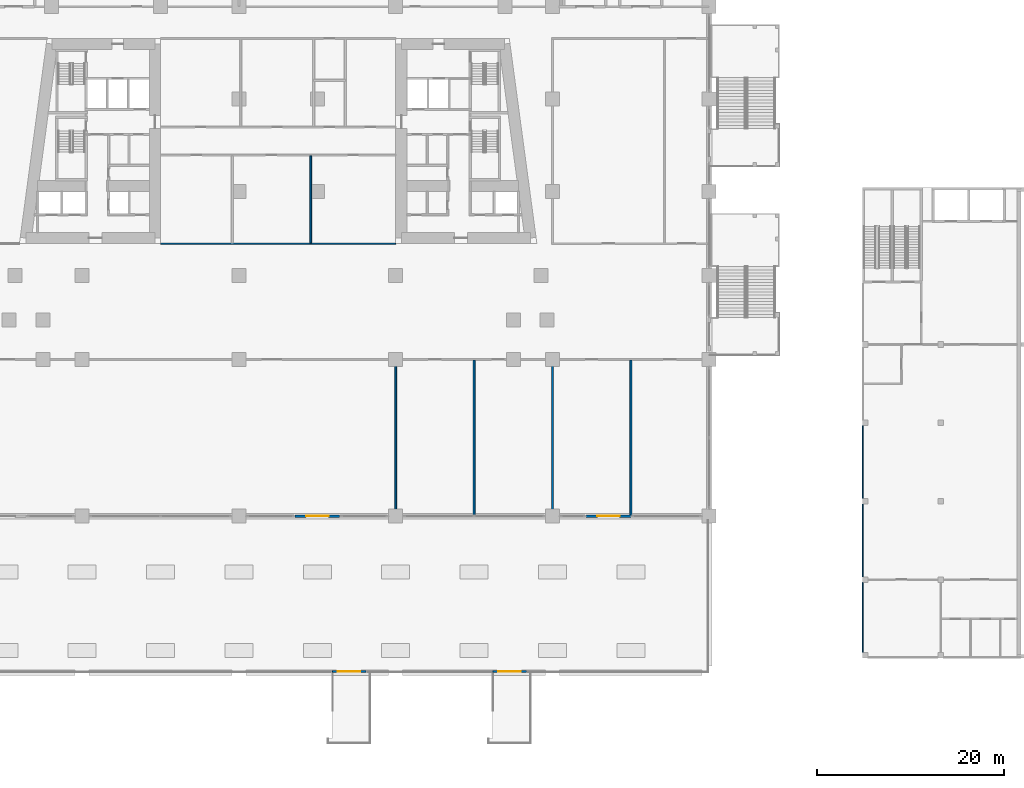
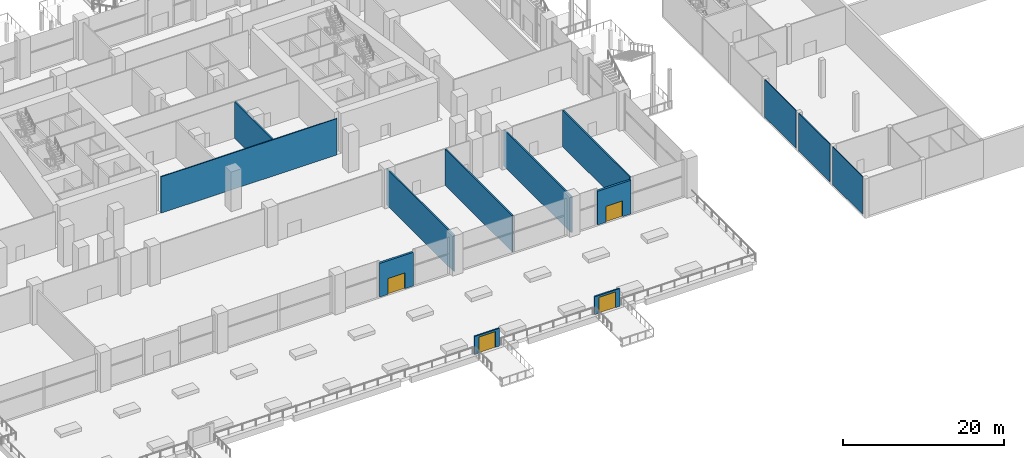
# One storey, part 22 of 47: 13 walls, 4 doors, 4 openings.
"""IFC4 building model written with IfcOpenShell, lengths in metres."""

from ifc_helpers import new_model, si_unit, direction, frame, frame_2d, origin, place, context, subcontext, project, spatial, rectangle, extrude, material, layer, layer_set, type_object, element, fill, save


model = new_model("IFC4")

# Units and contexts
model_context = context("Model", 3, precision=1e-05, world=origin(), true_north=direction((0.0, 1.0)))
body_context = subcontext(model_context, "Body", "Model", "MODEL_VIEW")
ifc_project = project(units=[si_unit("LENGTHUNIT", "METRE"), si_unit("AREAUNIT", "SQUARE_METRE"), si_unit("VOLUMEUNIT", "CUBIC_METRE"), si_unit("PLANEANGLEUNIT", "RADIAN"), si_unit("MASSUNIT", "GRAM", prefix="KILO")], contexts=[model_context])

# Site, building, storey
site_placement = place(None, origin())
site = spatial("IfcSite", under=ifc_project, at=site_placement, CompositionType="ELEMENT")
building_placement = place(site_placement, origin())
building = spatial("IfcBuilding", under=site, at=building_placement, Name="Candeia Pilgrim Tower and Theatre", CompositionType="ELEMENT")
storey_placement = place(building_placement, frame((0.0, 0.0, 23.0)))
storey = spatial("IfcBuildingStorey", under=building, at=storey_placement, Name="L03", CompositionType="ELEMENT", Elevation=23.0)

# Wall, opening, door
ifc_material_1 = material(Name="Ceramic block masonry", Category="masonry")
ifc_layer_1 = layer(ifc_material_1, 0.300048828125)
ifc_layer_set_1 = layer_set([ifc_layer_1], Name="EW2 entrance infill wall 300")
wall_type_1 = type_object("IfcWallType", Name="EW2 entrance infill wall 300", PredefinedType="SOLIDWALL", material=ifc_layer_set_1)
wall_1_placement = place(storey_placement, frame((151.199951171875, 81.199951171875, 0.0), z_axis=(0.0, 0.0, 1.0), x_axis=(-1.0, 0.0, 0.0)))
wall_1 = element("IfcWall", 1, at=wall_1_placement, inside=storey, type_object=wall_type_1, Name="Entrance wall L03", PredefinedType="SOLIDWALL", context=body_context, shape_type="SweptSolid", body=[
    extrude(rectangle(XDim=4.800048828125, YDim=0.300048828125, at=frame_2d((2.39990234375, 0.0))), origin(), (0.0, 0.0, 1.0), 5.10009765625),
])
opening_1_placement = place(wall_1_placement, frame((1.199951171875, 0.0, 0.0)))
opening_1 = element("IfcOpeningElement", 2, at=opening_1_placement, cuts=wall_1, Name="Opening L03-ED071", PredefinedType="OPENING", context=body_context, shape_type="SweptSolid", body=[
    extrude(rectangle(XDim=2.39990234375, YDim=2.39990234375, at=frame_2d((1.199951171875, 1.199951171875))), frame((0.0, 0.16015625, 0.0), z_axis=(0.0, -1.0, 0.0), x_axis=(1.0, 0.0, 0.0)), (0.0, 0.0, 1.0), 0.320068359375),
])
ifc_material_2 = material(Name="Aluminium framed glazed door", Category="aluminium")
door_type = type_object("IfcDoorType", Name="ED entrance double door 2400x2400", OperationType="DOUBLE_DOOR_DOUBLE_SWING", PredefinedType="DOOR", material=ifc_material_2)
door_1_placement = place(opening_1_placement, origin())
door_1 = element("IfcDoor", 3, at=door_1_placement, inside=storey, type_object=door_type, Name="Entrance door L03-ED071", OperationType="DOUBLE_DOOR_DOUBLE_SWING", OverallHeight=2.39990234375, OverallWidth=2.39990234375, PredefinedType="DOOR", context=body_context, shape_type="SweptSolid", body=[
    extrude(rectangle(XDim=2.39990234375, YDim=2.39990234375, at=frame_2d((1.199951171875, 1.199951171875))), frame((0.0, 0.02490234375, 0.0), z_axis=(0.0, -1.0, 0.0), x_axis=(1.0, 0.0, 0.0)), (0.0, 0.0, 1.0), 0.050048828125),
])
fill(opening_1, door_1)

wall_2_placement = place(storey_placement, frame((120.0, 81.199951171875, 0.0), z_axis=(0.0, 0.0, 1.0), x_axis=(-1.0, 0.0, 0.0)))
wall_2 = element("IfcWall", 4, at=wall_2_placement, inside=storey, type_object=wall_type_1, Name="Entrance wall L03", PredefinedType="SOLIDWALL", context=body_context, shape_type="SweptSolid", body=[
    extrude(rectangle(XDim=4.800048828125, YDim=0.300048828125, at=frame_2d((2.39990234375, 0.0))), origin(), (0.0, 0.0, 1.0), 5.10009765625),
])
opening_2_placement = place(wall_2_placement, frame((1.199951171875, 0.0, 0.0)))
opening_2 = element("IfcOpeningElement", 5, at=opening_2_placement, cuts=wall_2, Name="Opening L03-ED072", PredefinedType="OPENING", context=body_context, shape_type="SweptSolid", body=[
    extrude(rectangle(XDim=2.39990234375, YDim=2.39990234375, at=frame_2d((1.199951171875, 1.199951171875))), frame((0.0, 0.16015625, 0.0), z_axis=(0.0, -1.0, 0.0), x_axis=(1.0, 0.0, 0.0)), (0.0, 0.0, 1.0), 0.320068359375),
])
door_2_placement = place(opening_2_placement, origin())
door_2 = element("IfcDoor", 6, at=door_2_placement, inside=storey, type_object=door_type, Name="Entrance door L03-ED072", OperationType="DOUBLE_DOOR_DOUBLE_SWING", OverallHeight=2.39990234375, OverallWidth=2.39990234375, PredefinedType="DOOR", context=body_context, shape_type="SweptSolid", body=[
    extrude(rectangle(XDim=2.39990234375, YDim=2.39990234375, at=frame_2d((1.199951171875, 1.199951171875))), frame((0.0, 0.02490234375, 0.0), z_axis=(0.0, -1.0, 0.0), x_axis=(1.0, 0.0, 0.0)), (0.0, 0.0, 1.0), 0.050048828125),
])
fill(opening_2, door_2)

ifc_material_3 = material(Name="Concrete C35/45", Category="concrete")
ifc_layer_2 = layer(ifc_material_3, 0.199951171875)
ifc_layer_set_2 = layer_set([ifc_layer_2], Name="Escape stair gate wall 200")
wall_type_2 = type_object("IfcWallType", Name="Escape stair gate wall 200", PredefinedType="SOLIDWALL", material=ifc_layer_set_2)
wall_3_placement = place(storey_placement, frame((122.800048828125, 64.550048828125, 0.0), z_axis=(0.0, 0.0, 1.0), x_axis=(-1.0, 0.0, 0.0)))
wall_3 = element("IfcWall", 7, at=wall_3_placement, inside=storey, type_object=wall_type_2, Name="L03 External escape stair ES9 terrace gate wall", PredefinedType="SOLIDWALL", context=body_context, shape_type="SweptSolid", body=[
    extrude(rectangle(XDim=3.60009765625, YDim=0.199951171875, at=frame_2d((1.800048828125, 0.0))), origin(), (0.0, 0.0, 1.0), 2.699951171875),
])
opening_3_placement = place(wall_3_placement, frame((0.60009765625, 0.0, 0.0)))
opening_3 = element("IfcOpeningElement", 8, at=opening_3_placement, cuts=wall_3, Name="Opening XD-9-03", PredefinedType="OPENING", context=body_context, shape_type="SweptSolid", body=[
    extrude(rectangle(XDim=2.39990234375, YDim=2.39990234375, at=frame_2d((1.199951171875, 1.199951171875))), frame((0.0, 0.10986328125, 0.0), z_axis=(0.0, -1.0, 0.0), x_axis=(1.0, 0.0, 0.0)), (0.0, 0.0, 1.0), 0.219970703125),
])
door_3_placement = place(opening_3_placement, origin())
door_3 = element("IfcDoor", 9, at=door_3_placement, inside=storey, type_object=door_type, Name="Terrace gate door ES9 L03", OperationType="DOUBLE_DOOR_DOUBLE_SWING", OverallHeight=2.39990234375, OverallWidth=2.39990234375, PredefinedType="DOOR", context=body_context, shape_type="SweptSolid", body=[
    extrude(rectangle(XDim=2.39990234375, YDim=2.39990234375, at=frame_2d((1.199951171875, 1.199951171875))), frame((0.0, 0.02490234375, 0.0), z_axis=(0.0, -1.0, 0.0), x_axis=(1.0, 0.0, 0.0)), (0.0, 0.0, 1.0), 0.050048828125),
])
fill(opening_3, door_3)

wall_4_placement = place(storey_placement, frame((140.0, 64.550048828125, 0.0), z_axis=(0.0, 0.0, 1.0), x_axis=(-1.0, 0.0, 0.0)))
wall_4 = element("IfcWall", 10, at=wall_4_placement, inside=storey, type_object=wall_type_2, Name="L03 External escape stair ES16 terrace gate wall", PredefinedType="SOLIDWALL", context=body_context, shape_type="SweptSolid", body=[
    extrude(rectangle(XDim=3.60009765625, YDim=0.199951171875, at=frame_2d((1.800048828125, 0.0))), origin(), (0.0, 0.0, 1.0), 2.699951171875),
])
opening_4_placement = place(wall_4_placement, frame((0.60009765625, 0.0, 0.0)))
opening_4 = element("IfcOpeningElement", 11, at=opening_4_placement, cuts=wall_4, Name="Opening XD-16-03", PredefinedType="OPENING", context=body_context, shape_type="SweptSolid", body=[
    extrude(rectangle(XDim=2.39990234375, YDim=2.39990234375, at=frame_2d((1.199951171875, 1.199951171875))), frame((0.0, 0.10986328125, 0.0), z_axis=(0.0, -1.0, 0.0), x_axis=(1.0, 0.0, 0.0)), (0.0, 0.0, 1.0), 0.219970703125),
])
door_4_placement = place(opening_4_placement, origin())
door_4 = element("IfcDoor", 12, at=door_4_placement, inside=storey, type_object=door_type, Name="Terrace gate door ES16 L03", OperationType="DOUBLE_DOOR_DOUBLE_SWING", OverallHeight=2.39990234375, OverallWidth=2.39990234375, PredefinedType="DOOR", context=body_context, shape_type="SweptSolid", body=[
    extrude(rectangle(XDim=2.39990234375, YDim=2.39990234375, at=frame_2d((1.199951171875, 1.199951171875))), frame((0.0, 0.02490234375, 0.0), z_axis=(0.0, -1.0, 0.0), x_axis=(1.0, 0.0, 0.0)), (0.0, 0.0, 1.0), 0.050048828125),
])
fill(opening_4, door_4)

# Walls
ifc_material_4 = material(Name="Gypsum board partition on steel studs", Category="steel")
ifc_layer_3 = layer(ifc_material_4, 0.14990234375)
ifc_layer_set_3 = layer_set([ifc_layer_3], Name="PW-150 lobby wall")
wall_type_3 = type_object("IfcWallType", Name="PW-150 lobby wall", PredefinedType="PARTITIONING", material=ifc_layer_set_3)
wall_5_placement = place(storey_placement, frame((100.800048828125, 110.39990234375, 0.0), z_axis=(0.0, 0.0, 1.0), x_axis=(1.0, 0.0, 0.0)))
element("IfcWall", 13, at=wall_5_placement, inside=storey, type_object=wall_type_3, Name="Lobby wall L03-003", PredefinedType="PARTITIONING", context=body_context, shape_type="SweptSolid", body=[
    extrude(rectangle(XDim=25.199951171875, YDim=0.14990234375, at=frame_2d((12.60009765625, 0.0))), origin(), (0.0, 0.0, 1.0), 5.5),
])
ifc_layer_4 = layer(ifc_material_4, 0.199951171875)
ifc_layer_set_4 = layer_set([ifc_layer_4], Name="PW-200 party wall")
wall_type_4 = type_object("IfcWallType", Name="PW-200 party wall", PredefinedType="PARTITIONING", material=ifc_layer_set_4)
wall_6_placement = place(storey_placement, frame((116.89990234375, 110.47509765625, 0.0), z_axis=(0.0, 0.0, 1.0), x_axis=(0.0, 1.0, 0.0)))
element("IfcWall", 14, at=wall_6_placement, inside=storey, type_object=wall_type_4, Name="Party wall L03-071", PredefinedType="PARTITIONING", context=body_context, shape_type="SweptSolid", body=[
    extrude(rectangle(XDim=9.349853515625, YDim=0.199951171875, at=frame_2d((4.6748046875, 0.0))), origin(), (0.0, 0.0, 1.0), 5.5),
])
for number, where, z_axis, x_axis, name in (
    (15, (126.0, 81.25, 0.0), (0.0, 0.0, 1.0), (0.0, 1.0, 0.0), "Party wall L03-074"),
    (16, (134.39990234375, 81.25, 0.0), (0.0, 0.0, 1.0), (0.0, 1.0, 0.0), "Party wall L03-087"),
    (17, (142.800048828125, 81.25, 0.0), (0.0, 0.0, 1.0), (0.0, 1.0, 0.0), "Party wall L03-093"),
    (18, (151.199951171875, 81.25, 0.0), (0.0, 0.0, 1.0), (0.0, 1.0, 0.0), "Party wall L03-099"),
):
    element("IfcWall", number, at=place(storey_placement, frame(where, z_axis=z_axis, x_axis=x_axis)), inside=storey, type_object=wall_type_4, Name=name, PredefinedType="PARTITIONING", context=body_context, shape_type="SweptSolid", body=[
        extrude(rectangle(XDim=16.675048828125, YDim=0.199951171875, at=frame_2d((8.33740234375, 0.0))), origin(), (0.0, 0.0, 1.0), 5.5),
    ])
ifc_material_5 = material(Name="Gypsum board on steel studs", Category="steel")
ifc_layer_5 = layer(ifc_material_5, 0.125)
ifc_layer_set_5 = layer_set([ifc_layer_5], Name="Partition 125")
wall_type_5 = type_object("IfcWallType", Name="Partition 125", PredefinedType="PARTITIONING", material=ifc_layer_set_5)
wall_7_placement = place(storey_placement, frame((176.0625, 66.60009765625, 0.0), z_axis=(0.0, 0.0, 1.0), x_axis=(0.0, 1.0, 0.0)))
element("IfcWall", 19, at=wall_7_placement, inside=storey, type_object=wall_type_5, Name="T-L03-W036", PredefinedType="PARTITIONING", context=body_context, shape_type="SweptSolid", body=[
    extrude(rectangle(XDim=7.5, YDim=0.125, at=frame_2d((3.75, 0.0))), origin(), (0.0, 0.0, 1.0), 5.699951171875),
])
wall_8_placement = place(storey_placement, frame((176.0625, 74.699951171875, 0.0), z_axis=(0.0, 0.0, 1.0), x_axis=(0.0, 1.0, 0.0)))
element("IfcWall", 20, at=wall_8_placement, inside=storey, type_object=wall_type_5, Name="T-L03-W037", PredefinedType="PARTITIONING", context=body_context, shape_type="SweptSolid", body=[
    extrude(rectangle(XDim=7.800048828125, YDim=0.125, at=frame_2d((3.89990234375, 0.0))), origin(), (0.0, 0.0, 1.0), 5.699951171875),
])
wall_9_placement = place(storey_placement, frame((176.0625, 83.10009765625, 0.0), z_axis=(0.0, 0.0, 1.0), x_axis=(0.0, 1.0, 0.0)))
element("IfcWall", 21, at=wall_9_placement, inside=storey, type_object=wall_type_5, Name="T-L03-W038", PredefinedType="PARTITIONING", context=body_context, shape_type="SweptSolid", body=[
    extrude(rectangle(XDim=7.7998046875, YDim=0.125, at=frame_2d((3.89990234375, 0.0))), origin(), (0.0, 0.0, 1.0), 5.699951171875),
])

save(model, "model.ifc")
